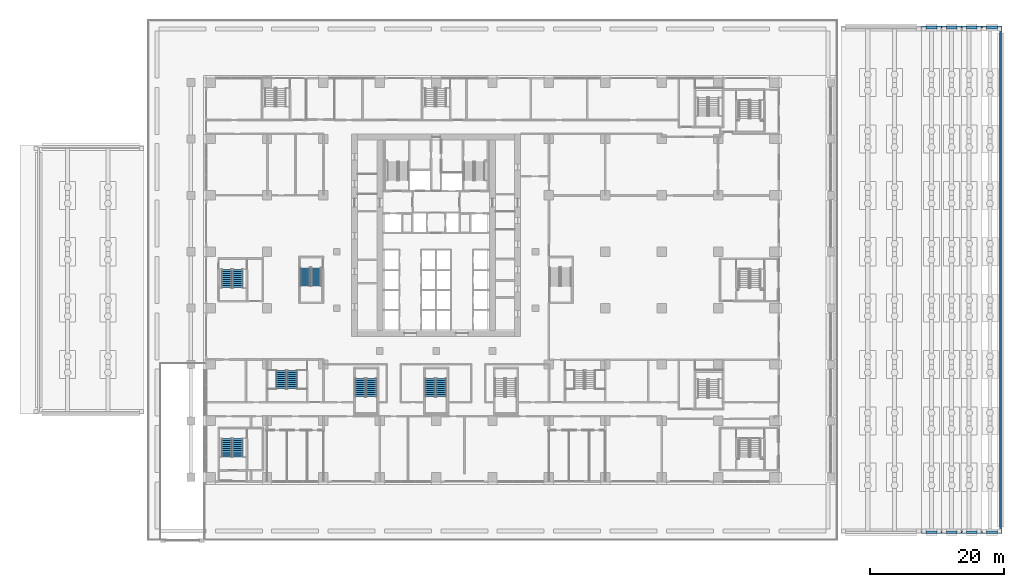
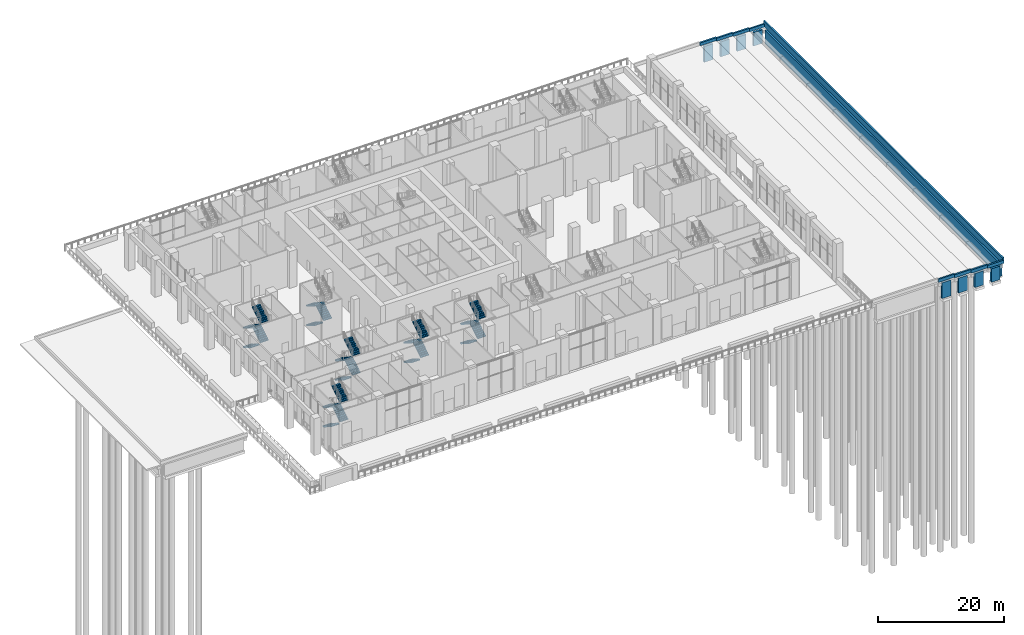
# One storey, part 33 of 53: 23 stair flights, 18 walls, 6 elements without a shape of their own.
"""IFC4 building model written with IfcOpenShell, lengths in metres."""

from ifc_helpers import new_model, si_unit, direction, frame, frame_2d, origin, place, context, subcontext, project, spatial, polyline, rectangle, outline, extrude, material, layer, layer_set, type_object, element, aggregate, save


model = new_model("IFC4")

# Units and contexts
model_context = context("Model", 3, precision=1e-05, world=origin(), true_north=direction((0.0, 1.0)))
body_context = subcontext(model_context, "Body", "Model", "MODEL_VIEW")
ifc_project = project(units=[si_unit("LENGTHUNIT", "METRE"), si_unit("AREAUNIT", "SQUARE_METRE"), si_unit("VOLUMEUNIT", "CUBIC_METRE"), si_unit("PLANEANGLEUNIT", "RADIAN"), si_unit("MASSUNIT", "GRAM", prefix="KILO")], contexts=[model_context])

# Site, building, storey
site_placement = place(None, origin())
site = spatial("IfcSite", under=ifc_project, at=site_placement, CompositionType="ELEMENT")
building_placement = place(site_placement, origin())
building = spatial("IfcBuilding", under=site, at=building_placement, Name="Vermilion Ogive Tower", CompositionType="ELEMENT")
storey_placement = place(building_placement, origin())
storey = spatial("IfcBuildingStorey", under=building, at=storey_placement, Name="L00", CompositionType="ELEMENT", Elevation=0.0)

# Walls
ifc_material_1 = material(Name="Concrete B45", Category="concrete")
ifc_layer_1 = layer(ifc_material_1, 0.300048828125)
ifc_layer_set_1 = layer_set([ifc_layer_1], Name="Quay edge curb QK1")
wall_type_1 = type_object("IfcWallType", Name="Quay edge curb QK1", PredefinedType="PARAPET", material=ifc_layer_set_1)
for number, where, z_axis, x_axis, name in (
    (1, (72.300048828125, -37.64990234375, -0.14990234375), (0.0, 0.0, 1.0), (1.0, 0.0, 0.0), "Quay edge curb STEP1 S"),
    (2, (72.300048828125, 37.64990234375, -0.14990234375), (0.0, 0.0, 1.0), (1.0, 0.0, 0.0), "Quay edge curb STEP1 N"),
):
    element("IfcWall", number, at=place(storey_placement, frame(where, z_axis=z_axis, x_axis=x_axis)), inside=storey, type_object=wall_type_1, Name=name, PredefinedType="PARAPET", context=body_context, shape_type="SweptSolid", body=[
        extrude(rectangle(XDim=3.0, YDim=0.300048828125, at=frame_2d((1.5, 0.0))), origin(), (0.0, 0.0, 1.0), 0.599853515625),
    ])
for number, where, z_axis, x_axis, name in (
    (3, (75.300048828125, -37.64990234375, -0.300048828125), (0.0, 0.0, 1.0), (1.0, 0.0, 0.0), "Quay edge curb STEP2 S"),
    (4, (75.300048828125, 37.64990234375, -0.300048828125), (0.0, 0.0, 1.0), (1.0, 0.0, 0.0), "Quay edge curb STEP2 N"),
):
    element("IfcWall", number, at=place(storey_placement, frame(where, z_axis=z_axis, x_axis=x_axis)), inside=storey, type_object=wall_type_1, Name=name, PredefinedType="PARAPET", context=body_context, shape_type="SweptSolid", body=[
        extrude(rectangle(XDim=3.0, YDim=0.300048828125, at=frame_2d((1.5, 0.0))), origin(), (0.0, 0.0, 1.0), 0.60009765625),
    ])
for number, where, z_axis, x_axis, name in (
    (5, (78.300048828125, -37.64990234375, -0.449951171875), (0.0, 0.0, 1.0), (1.0, 0.0, 0.0), "Quay edge curb STEP3 S"),
    (6, (78.300048828125, 37.64990234375, -0.449951171875), (0.0, 0.0, 1.0), (1.0, 0.0, 0.0), "Quay edge curb STEP3 N"),
):
    element("IfcWall", number, at=place(storey_placement, frame(where, z_axis=z_axis, x_axis=x_axis)), inside=storey, type_object=wall_type_1, Name=name, PredefinedType="PARAPET", context=body_context, shape_type="SweptSolid", body=[
        extrude(rectangle(XDim=3.0, YDim=0.300048828125, at=frame_2d((1.5, 0.0))), origin(), (0.0, 0.0, 1.0), 0.599853515625),
    ])
for number, where, z_axis, x_axis, name in (
    (7, (81.300048828125, -37.64990234375, -0.60009765625), (0.0, 0.0, 1.0), (1.0, 0.0, 0.0), "Quay edge curb STEP4 S"),
    (8, (81.300048828125, 37.64990234375, -0.60009765625), (0.0, 0.0, 1.0), (1.0, 0.0, 0.0), "Quay edge curb STEP4 N"),
):
    element("IfcWall", number, at=place(storey_placement, frame(where, z_axis=z_axis, x_axis=x_axis)), inside=storey, type_object=wall_type_1, Name=name, PredefinedType="PARAPET", context=body_context, shape_type="SweptSolid", body=[
        extrude(rectangle(XDim=3.0, YDim=0.300048828125, at=frame_2d((1.5, 0.0))), origin(), (0.0, 0.0, 1.0), 0.60009765625),
    ])
ifc_material_2 = material(Name="Concrete B45", Category="concrete")
ifc_layer_2 = layer(ifc_material_2, 0.300048828125)
ifc_layer_set_2 = layer_set([ifc_layer_2], Name="Quay edge wall QW1")
wall_type_2 = type_object("IfcWallType", Name="Quay edge wall QW1", PredefinedType="PARAPET", material=ifc_layer_set_2)
wall_1_placement = place(storey_placement, frame((84.14990234375, -37.800048828125, -0.60009765625), z_axis=(0.0, 0.0, 1.0), x_axis=(0.0, 1.0, 0.0)))
element("IfcWall", 9, at=wall_1_placement, inside=storey, type_object=wall_type_2, Name="Quay edge upstand", PredefinedType="PARAPET", context=body_context, shape_type="SweptSolid", body=[
    extrude(rectangle(XDim=75.60009765625, YDim=0.300048828125, at=frame_2d((37.800048828125, 0.0))), origin(), (0.0, 0.0, 1.0), 1.10009765625),
])
ifc_material_3 = material(Name="Concrete B45", Category="concrete")
ifc_layer_3 = layer(ifc_material_3, 0.39990234375)
ifc_layer_set_3 = layer_set([ifc_layer_3], Name="Quay wall QW2 400")
wall_type_3 = type_object("IfcWallType", Name="Quay wall QW2 400", PredefinedType="SOLIDWALL", material=ifc_layer_set_3)
for number, where, z_axis, x_axis, name in (
    (10, (73.0, -37.60009765625, -3.5), (0.0, 0.0, 1.0), (1.0, 0.0, 0.0), "Quay wall SITE-STEP-1 S"),
    (11, (73.0, 37.60009765625, -3.5), (0.0, 0.0, 1.0), (1.0, 0.0, 0.0), "Quay wall SITE-STEP-1 N"),
):
    element("IfcWall", number, at=place(storey_placement, frame(where, z_axis=z_axis, x_axis=x_axis)), inside=storey, type_object=wall_type_3, Name=name, PredefinedType="SOLIDWALL", context=body_context, shape_type="SweptSolid", body=[
        extrude(rectangle(XDim=1.60009765625, YDim=0.39990234375, at=frame_2d((0.800048828125, 0.0))), origin(), (0.0, 0.0, 1.0), 3.050048828125),
    ])
for number, where, z_axis, x_axis, name in (
    (12, (76.0, -37.60009765625, -3.5), (0.0, 0.0, 1.0), (1.0, 0.0, 0.0), "Quay wall SITE-STEP-2 S"),
    (13, (76.0, 37.60009765625, -3.5), (0.0, 0.0, 1.0), (1.0, 0.0, 0.0), "Quay wall SITE-STEP-2 N"),
):
    element("IfcWall", number, at=place(storey_placement, frame(where, z_axis=z_axis, x_axis=x_axis)), inside=storey, type_object=wall_type_3, Name=name, PredefinedType="SOLIDWALL", context=body_context, shape_type="SweptSolid", body=[
        extrude(rectangle(XDim=1.60009765625, YDim=0.39990234375, at=frame_2d((0.800048828125, 0.0))), origin(), (0.0, 0.0, 1.0), 2.89990234375),
    ])
for number, where, z_axis, x_axis, name in (
    (14, (79.0, -37.60009765625, -3.5), (0.0, 0.0, 1.0), (1.0, 0.0, 0.0), "Quay wall SITE-STEP-3 S"),
    (15, (79.0, 37.60009765625, -3.5), (0.0, 0.0, 1.0), (1.0, 0.0, 0.0), "Quay wall SITE-STEP-3 N"),
):
    element("IfcWall", number, at=place(storey_placement, frame(where, z_axis=z_axis, x_axis=x_axis)), inside=storey, type_object=wall_type_3, Name=name, PredefinedType="SOLIDWALL", context=body_context, shape_type="SweptSolid", body=[
        extrude(rectangle(XDim=1.60009765625, YDim=0.39990234375, at=frame_2d((0.800048828125, 0.0))), origin(), (0.0, 0.0, 1.0), 2.75),
    ])
for number, where, z_axis, x_axis, name in (
    (16, (82.0, -37.60009765625, -3.5), (0.0, 0.0, 1.0), (1.0, 0.0, 0.0), "Quay wall SITE-STEP-4 S"),
    (17, (82.0, 37.60009765625, -3.5), (0.0, 0.0, 1.0), (1.0, 0.0, 0.0), "Quay wall SITE-STEP-4 N"),
):
    element("IfcWall", number, at=place(storey_placement, frame(where, z_axis=z_axis, x_axis=x_axis)), inside=storey, type_object=wall_type_3, Name=name, PredefinedType="SOLIDWALL", context=body_context, shape_type="SweptSolid", body=[
        extrude(rectangle(XDim=1.60009765625, YDim=0.39990234375, at=frame_2d((0.800048828125, 0.0))), origin(), (0.0, 0.0, 1.0), 2.60009765625),
    ])
wall_2_placement = place(storey_placement, frame((84.10009765625, -37.10009765625, -3.5), z_axis=(0.0, 0.0, 1.0), x_axis=(0.0, 1.0, 0.0)))
element("IfcWall", 18, at=wall_2_placement, inside=storey, type_object=wall_type_3, Name="Quay wall SITE-STEP-4 E", PredefinedType="SOLIDWALL", context=body_context, shape_type="SweptSolid", body=[
    extrude(rectangle(XDim=74.2001953125, YDim=0.39990234375, at=frame_2d((37.10009765625, 0.0))), origin(), (0.0, 0.0, 1.0), 2.60009765625),
])

# Stair, stair flights
ifc_material_4 = material(Name="Concrete B40", Category="concrete")
stair_type = type_object("IfcStairType", Name="Exit stair 1500", PredefinedType="HALF_TURN_STAIR", material=ifc_material_4)
stair_1_placement = place(storey_placement, origin())
stair_1 = element("IfcStair", 19, at=stair_1_placement, inside=storey, type_object=stair_type, Name="L00 Exit Stair ST3", PredefinedType="HALF_TURN_STAIR")
ifc_material_5 = material(Name="Concrete B40", Category="concrete")
stair_flight_type = type_object("IfcStairFlightType", Name="Stair flight 1500", PredefinedType="STRAIGHT", material=ifc_material_5)
stair_flight_1_placement = place(storey_placement, frame((-11.300048828125, -14.699951171875, 0.0), z_axis=(0.0, 0.0, 1.0), x_axis=(0.0, -1.0, 0.0)))
stair_flight_1 = element("IfcStairFlight", 20, at=stair_flight_1_placement, type_object=stair_flight_type, Name="ST3 flight 1", NumberOfRisers=10, NumberOfTreads=9, PredefinedType="STRAIGHT", RiserHeight=0.1875, TreadLength=0.3, context=body_context, shape_type="SweptSolid", body=[
    extrude(outline(polyline([(0.0, 0.0), (0.0, 0.1875), (0.300048828125, 0.1875), (0.300048828125, 0.375), (0.60009765625, 0.375), (0.60009765625, 0.5625), (0.89990234375, 0.5625), (0.89990234375, 0.75), (1.199951171875, 0.75), (1.199951171875, 0.9375), (1.5, 0.9375), (1.5, 1.125), (1.800048828125, 1.125), (1.800048828125, 1.3125), (2.10009765625, 1.3125), (2.10009765625, 1.5), (2.39990234375, 1.5), (2.39990234375, 1.6875), (2.699951171875, 1.6875), (2.699951171875, 1.875), (2.699951171875, 1.5107421875), (0.28271484375, 0.0), (0.0, 0.0)])), frame((0.0, 0.75, 0.0), z_axis=(0.0, -1.0, 0.0), x_axis=(1.0, 0.0, 0.0)), (0.0, 0.0, 1.0), 1.5),
])
stair_flight_2_placement = place(storey_placement, frame((-9.64990234375, -17.39990234375, 1.875), z_axis=(0.0, 0.0, 1.0), x_axis=(0.0, 1.0, 0.0)))
stair_flight_2 = element("IfcStairFlight", 21, at=stair_flight_2_placement, type_object=stair_flight_type, Name="ST3 flight 2", NumberOfRisers=10, NumberOfTreads=9, PredefinedType="STRAIGHT", RiserHeight=0.1875, TreadLength=0.3, context=body_context, shape_type="SweptSolid", body=[
    extrude(outline(polyline([(0.0, 0.0), (0.0, 0.1875), (0.300048828125, 0.1875), (0.300048828125, 0.375), (0.60009765625, 0.375), (0.60009765625, 0.5625), (0.89990234375, 0.5625), (0.89990234375, 0.75), (1.199951171875, 0.75), (1.199951171875, 0.9375), (1.5, 0.9375), (1.5, 1.125), (1.800048828125, 1.125), (1.800048828125, 1.3125), (2.10009765625, 1.3125), (2.10009765625, 1.5), (2.39990234375, 1.5), (2.39990234375, 1.6875), (2.699951171875, 1.6875), (2.699951171875, 1.875), (2.699951171875, 1.5107421875), (0.28271484375, 0.0), (0.0, 0.0)])), frame((0.0, 0.75, 0.0), z_axis=(0.0, -1.0, 0.0), x_axis=(1.0, 0.0, 0.0)), (0.0, 0.0, 1.0), 1.5),
])
stair_flight_3_placement = place(storey_placement, frame((-11.300048828125, -14.699951171875, 3.75), z_axis=(0.0, 0.0, 1.0), x_axis=(0.0, -1.0, 0.0)))
stair_flight_3 = element("IfcStairFlight", 22, at=stair_flight_3_placement, type_object=stair_flight_type, Name="ST3 flight 3", NumberOfRisers=10, NumberOfTreads=9, PredefinedType="STRAIGHT", RiserHeight=0.1875, TreadLength=0.3, context=body_context, shape_type="SweptSolid", body=[
    extrude(outline(polyline([(0.0, 0.0), (0.0, 0.1875), (0.300048828125, 0.1875), (0.300048828125, 0.375), (0.60009765625, 0.375), (0.60009765625, 0.5625), (0.89990234375, 0.5625), (0.89990234375, 0.75), (1.199951171875, 0.75), (1.199951171875, 0.9375), (1.5, 0.9375), (1.5, 1.125), (1.800048828125, 1.125), (1.800048828125, 1.3125), (2.10009765625, 1.3125), (2.10009765625, 1.5), (2.39990234375, 1.5), (2.39990234375, 1.6875), (2.699951171875, 1.6875), (2.699951171875, 1.875), (2.699951171875, 1.5107421875), (0.28271484375, 0.0), (0.0, 0.0)])), frame((0.0, 0.75, 0.0), z_axis=(0.0, -1.0, 0.0), x_axis=(1.0, 0.0, 0.0)), (0.0, 0.0, 1.0), 1.5),
])
stair_flight_4_placement = place(storey_placement, frame((-9.64990234375, -17.39990234375, 5.625), z_axis=(0.0, 0.0, 1.0), x_axis=(0.0, 1.0, 0.0)))
stair_flight_4 = element("IfcStairFlight", 23, at=stair_flight_4_placement, type_object=stair_flight_type, Name="ST3 flight 4", NumberOfRisers=10, NumberOfTreads=9, PredefinedType="STRAIGHT", RiserHeight=0.1875, TreadLength=0.3, context=body_context, shape_type="SweptSolid", body=[
    extrude(outline(polyline([(0.0, 0.0), (0.0, 0.1875), (0.300048828125, 0.1875), (0.300048828125, 0.375), (0.60009765625, 0.375), (0.60009765625, 0.5625), (0.89990234375, 0.5625), (0.89990234375, 0.75), (1.199951171875, 0.75), (1.199951171875, 0.9375), (1.5, 0.9375), (1.5, 1.125), (1.800048828125, 1.125), (1.800048828125, 1.3125), (2.10009765625, 1.3125), (2.10009765625, 1.5), (2.39990234375, 1.5), (2.39990234375, 1.6875), (2.699951171875, 1.6875), (2.699951171875, 1.875), (2.699951171875, 1.5107421875), (0.28271484375, 0.0), (0.0, 0.0)])), frame((0.0, 0.75, 0.0), z_axis=(0.0, -1.0, 0.0), x_axis=(1.0, 0.0, 0.0)), (0.0, 0.0, 1.0), 1.5),
])
aggregate(stair_1, [stair_flight_1, stair_flight_2, stair_flight_3, stair_flight_4])

stair_2_placement = place(storey_placement, origin())
stair_2 = element("IfcStair", 24, at=stair_2_placement, inside=storey, type_object=stair_type, Name="L00 Exit Stair ST4", PredefinedType="HALF_TURN_STAIR")
stair_flight_5_placement = place(storey_placement, frame((-0.89990234375, -14.699951171875, 0.0), z_axis=(0.0, 0.0, 1.0), x_axis=(0.0, -1.0, 0.0)))
stair_flight_5 = element("IfcStairFlight", 25, at=stair_flight_5_placement, type_object=stair_flight_type, Name="ST4 flight 1", NumberOfRisers=10, NumberOfTreads=9, PredefinedType="STRAIGHT", RiserHeight=0.1875, TreadLength=0.3, context=body_context, shape_type="SweptSolid", body=[
    extrude(outline(polyline([(0.0, 0.0), (0.0, 0.1875), (0.300048828125, 0.1875), (0.300048828125, 0.375), (0.60009765625, 0.375), (0.60009765625, 0.5625), (0.89990234375, 0.5625), (0.89990234375, 0.75), (1.199951171875, 0.75), (1.199951171875, 0.9375), (1.5, 0.9375), (1.5, 1.125), (1.800048828125, 1.125), (1.800048828125, 1.3125), (2.10009765625, 1.3125), (2.10009765625, 1.5), (2.39990234375, 1.5), (2.39990234375, 1.6875), (2.699951171875, 1.6875), (2.699951171875, 1.875), (2.699951171875, 1.5107421875), (0.28271484375, 0.0), (0.0, 0.0)])), frame((0.0, 0.75, 0.0), z_axis=(0.0, -1.0, 0.0), x_axis=(1.0, 0.0, 0.0)), (0.0, 0.0, 1.0), 1.5),
])
stair_flight_6_placement = place(storey_placement, frame((0.75, -17.39990234375, 1.875), z_axis=(0.0, 0.0, 1.0), x_axis=(0.0, 1.0, 0.0)))
stair_flight_6 = element("IfcStairFlight", 26, at=stair_flight_6_placement, type_object=stair_flight_type, Name="ST4 flight 2", NumberOfRisers=10, NumberOfTreads=9, PredefinedType="STRAIGHT", RiserHeight=0.1875, TreadLength=0.3, context=body_context, shape_type="SweptSolid", body=[
    extrude(outline(polyline([(0.0, 0.0), (0.0, 0.1875), (0.300048828125, 0.1875), (0.300048828125, 0.375), (0.60009765625, 0.375), (0.60009765625, 0.5625), (0.89990234375, 0.5625), (0.89990234375, 0.75), (1.199951171875, 0.75), (1.199951171875, 0.9375), (1.5, 0.9375), (1.5, 1.125), (1.800048828125, 1.125), (1.800048828125, 1.3125), (2.10009765625, 1.3125), (2.10009765625, 1.5), (2.39990234375, 1.5), (2.39990234375, 1.6875), (2.699951171875, 1.6875), (2.699951171875, 1.875), (2.699951171875, 1.5107421875), (0.28271484375, 0.0), (0.0, 0.0)])), frame((0.0, 0.75, 0.0), z_axis=(0.0, -1.0, 0.0), x_axis=(1.0, 0.0, 0.0)), (0.0, 0.0, 1.0), 1.5),
])
stair_flight_7_placement = place(storey_placement, frame((-0.89990234375, -14.699951171875, 3.75), z_axis=(0.0, 0.0, 1.0), x_axis=(0.0, -1.0, 0.0)))
stair_flight_7 = element("IfcStairFlight", 27, at=stair_flight_7_placement, type_object=stair_flight_type, Name="ST4 flight 3", NumberOfRisers=10, NumberOfTreads=9, PredefinedType="STRAIGHT", RiserHeight=0.1875, TreadLength=0.3, context=body_context, shape_type="SweptSolid", body=[
    extrude(outline(polyline([(0.0, 0.0), (0.0, 0.1875), (0.300048828125, 0.1875), (0.300048828125, 0.375), (0.60009765625, 0.375), (0.60009765625, 0.5625), (0.89990234375, 0.5625), (0.89990234375, 0.75), (1.199951171875, 0.75), (1.199951171875, 0.9375), (1.5, 0.9375), (1.5, 1.125), (1.800048828125, 1.125), (1.800048828125, 1.3125), (2.10009765625, 1.3125), (2.10009765625, 1.5), (2.39990234375, 1.5), (2.39990234375, 1.6875), (2.699951171875, 1.6875), (2.699951171875, 1.875), (2.699951171875, 1.5107421875), (0.28271484375, 0.0), (0.0, 0.0)])), frame((0.0, 0.75, 0.0), z_axis=(0.0, -1.0, 0.0), x_axis=(1.0, 0.0, 0.0)), (0.0, 0.0, 1.0), 1.5),
])
stair_flight_8_placement = place(storey_placement, frame((0.75, -17.39990234375, 5.625), z_axis=(0.0, 0.0, 1.0), x_axis=(0.0, 1.0, 0.0)))
stair_flight_8 = element("IfcStairFlight", 28, at=stair_flight_8_placement, type_object=stair_flight_type, Name="ST4 flight 4", NumberOfRisers=10, NumberOfTreads=9, PredefinedType="STRAIGHT", RiserHeight=0.1875, TreadLength=0.3, context=body_context, shape_type="SweptSolid", body=[
    extrude(outline(polyline([(0.0, 0.0), (0.0, 0.1875), (0.300048828125, 0.1875), (0.300048828125, 0.375), (0.60009765625, 0.375), (0.60009765625, 0.5625), (0.89990234375, 0.5625), (0.89990234375, 0.75), (1.199951171875, 0.75), (1.199951171875, 0.9375), (1.5, 0.9375), (1.5, 1.125), (1.800048828125, 1.125), (1.800048828125, 1.3125), (2.10009765625, 1.3125), (2.10009765625, 1.5), (2.39990234375, 1.5), (2.39990234375, 1.6875), (2.699951171875, 1.6875), (2.699951171875, 1.875), (2.699951171875, 1.5107421875), (0.28271484375, 0.0), (0.0, 0.0)])), frame((0.0, 0.75, 0.0), z_axis=(0.0, -1.0, 0.0), x_axis=(1.0, 0.0, 0.0)), (0.0, 0.0, 1.0), 1.5),
])
aggregate(stair_2, [stair_flight_5, stair_flight_6, stair_flight_7, stair_flight_8])

stair_3_placement = place(storey_placement, origin())
stair_3 = element("IfcStair", 29, at=stair_3_placement, inside=storey, type_object=stair_type, Name="L00 Exit Stair ST9", PredefinedType="HALF_TURN_STAIR")
stair_flight_9_placement = place(storey_placement, frame((-19.5, 1.800048828125, 0.0), z_axis=(0.0, 0.0, 1.0), x_axis=(0.0, -1.0, 0.0)))
stair_flight_9 = element("IfcStairFlight", 30, at=stair_flight_9_placement, type_object=stair_flight_type, Name="ST9 flight 1", NumberOfRisers=10, NumberOfTreads=9, PredefinedType="STRAIGHT", RiserHeight=0.1875, TreadLength=0.3, context=body_context, shape_type="SweptSolid", body=[
    extrude(outline(polyline([(0.0, 0.0), (0.0, 0.1875), (0.300048828125, 0.1875), (0.300048828125, 0.375), (0.60009765625, 0.375), (0.60009765625, 0.5625), (0.89990234375, 0.5625), (0.89990234375, 0.75), (1.199951171875, 0.75), (1.199951171875, 0.9375), (1.5, 0.9375), (1.5, 1.125), (1.800048828125, 1.125), (1.800048828125, 1.3125), (2.10009765625, 1.3125), (2.10009765625, 1.5), (2.39990234375, 1.5), (2.39990234375, 1.6875), (2.699951171875, 1.6875), (2.699951171875, 1.875), (2.699951171875, 1.5107421875), (0.28271484375, 0.0), (0.0, 0.0)])), frame((0.0, 0.75, 0.0), z_axis=(0.0, -1.0, 0.0), x_axis=(1.0, 0.0, 0.0)), (0.0, 0.0, 1.0), 1.5),
])
stair_flight_10_placement = place(storey_placement, frame((-17.85009765625, -0.89990234375, 1.875), z_axis=(0.0, 0.0, 1.0), x_axis=(0.0, 1.0, 0.0)))
stair_flight_10 = element("IfcStairFlight", 31, at=stair_flight_10_placement, type_object=stair_flight_type, Name="ST9 flight 2", NumberOfRisers=10, NumberOfTreads=9, PredefinedType="STRAIGHT", RiserHeight=0.1875, TreadLength=0.3, context=body_context, shape_type="SweptSolid", body=[
    extrude(outline(polyline([(0.0, 0.0), (0.0, 0.1875), (0.300048828125, 0.1875), (0.300048828125, 0.375), (0.60009765625, 0.375), (0.60009765625, 0.5625), (0.89990234375, 0.5625), (0.89990234375, 0.75), (1.199951171875, 0.75), (1.199951171875, 0.9375), (1.5, 0.9375), (1.5, 1.125), (1.800048828125, 1.125), (1.800048828125, 1.3125), (2.10009765625, 1.3125), (2.10009765625, 1.5), (2.39990234375, 1.5), (2.39990234375, 1.6875), (2.699951171875, 1.6875), (2.699951171875, 1.875), (2.699951171875, 1.5107421875), (0.28271484375, 0.0), (0.0, 0.0)])), frame((0.0, 0.75, 0.0), z_axis=(0.0, -1.0, 0.0), x_axis=(1.0, 0.0, 0.0)), (0.0, 0.0, 1.0), 1.5),
])
stair_flight_11_placement = place(storey_placement, frame((-19.5, 1.800048828125, 3.75), z_axis=(0.0, 0.0, 1.0), x_axis=(0.0, -1.0, 0.0)))
stair_flight_11 = element("IfcStairFlight", 32, at=stair_flight_11_placement, type_object=stair_flight_type, Name="ST9 flight 3", NumberOfRisers=10, NumberOfTreads=9, PredefinedType="STRAIGHT", RiserHeight=0.1875, TreadLength=0.3, context=body_context, shape_type="SweptSolid", body=[
    extrude(outline(polyline([(0.0, 0.0), (0.0, 0.1875), (0.300048828125, 0.1875), (0.300048828125, 0.375), (0.60009765625, 0.375), (0.60009765625, 0.5625), (0.89990234375, 0.5625), (0.89990234375, 0.75), (1.199951171875, 0.75), (1.199951171875, 0.9375), (1.5, 0.9375), (1.5, 1.125), (1.800048828125, 1.125), (1.800048828125, 1.3125), (2.10009765625, 1.3125), (2.10009765625, 1.5), (2.39990234375, 1.5), (2.39990234375, 1.6875), (2.699951171875, 1.6875), (2.699951171875, 1.875), (2.699951171875, 1.5107421875), (0.28271484375, 0.0), (0.0, 0.0)])), frame((0.0, 0.75, 0.0), z_axis=(0.0, -1.0, 0.0), x_axis=(1.0, 0.0, 0.0)), (0.0, 0.0, 1.0), 1.5),
])
aggregate(stair_3, [stair_flight_9, stair_flight_10, stair_flight_11])

stair_4_placement = place(storey_placement, origin())
stair_4 = element("IfcStair", 33, at=stair_4_placement, inside=storey, type_object=stair_type, Name="L00 Exit Stair PS4", PredefinedType="HALF_TURN_STAIR")
stair_flight_12_placement = place(storey_placement, frame((-23.10009765625, -13.5, 0.0), z_axis=(0.0, 0.0, 1.0), x_axis=(0.0, -1.0, 0.0)))
stair_flight_12 = element("IfcStairFlight", 34, at=stair_flight_12_placement, type_object=stair_flight_type, Name="PS4 flight 1", NumberOfRisers=10, NumberOfTreads=9, PredefinedType="STRAIGHT", RiserHeight=0.1875, TreadLength=0.3, context=body_context, shape_type="SweptSolid", body=[
    extrude(outline(polyline([(0.0, 0.0), (0.0, 0.1875), (0.300048828125, 0.1875), (0.300048828125, 0.375), (0.60009765625, 0.375), (0.60009765625, 0.5625), (0.89990234375, 0.5625), (0.89990234375, 0.75), (1.199951171875, 0.75), (1.199951171875, 0.9375), (1.5, 0.9375), (1.5, 1.125), (1.800048828125, 1.125), (1.800048828125, 1.3125), (2.10009765625, 1.3125), (2.10009765625, 1.5), (2.39990234375, 1.5), (2.39990234375, 1.6875), (2.699951171875, 1.6875), (2.699951171875, 1.875), (2.699951171875, 1.5107421875), (0.28271484375, 0.0), (0.0, 0.0)])), frame((0.0, 0.75, 0.0), z_axis=(0.0, -1.0, 0.0), x_axis=(1.0, 0.0, 0.0)), (0.0, 0.0, 1.0), 1.5),
])
stair_flight_13_placement = place(storey_placement, frame((-21.449951171875, -16.199951171875, 1.875), z_axis=(0.0, 0.0, 1.0), x_axis=(0.0, 1.0, 0.0)))
stair_flight_13 = element("IfcStairFlight", 35, at=stair_flight_13_placement, type_object=stair_flight_type, Name="PS4 flight 2", NumberOfRisers=10, NumberOfTreads=9, PredefinedType="STRAIGHT", RiserHeight=0.1875, TreadLength=0.3, context=body_context, shape_type="SweptSolid", body=[
    extrude(outline(polyline([(0.0, 0.0), (0.0, 0.1875), (0.300048828125, 0.1875), (0.300048828125, 0.375), (0.60009765625, 0.375), (0.60009765625, 0.5625), (0.89990234375, 0.5625), (0.89990234375, 0.75), (1.199951171875, 0.75), (1.199951171875, 0.9375), (1.5, 0.9375), (1.5, 1.125), (1.800048828125, 1.125), (1.800048828125, 1.3125), (2.10009765625, 1.3125), (2.10009765625, 1.5), (2.39990234375, 1.5), (2.39990234375, 1.6875), (2.699951171875, 1.6875), (2.699951171875, 1.875), (2.699951171875, 1.5107421875), (0.28271484375, 0.0), (0.0, 0.0)])), frame((0.0, 0.75, 0.0), z_axis=(0.0, -1.0, 0.0), x_axis=(1.0, 0.0, 0.0)), (0.0, 0.0, 1.0), 1.5),
])
stair_flight_14_placement = place(storey_placement, frame((-23.10009765625, -13.5, 3.75), z_axis=(0.0, 0.0, 1.0), x_axis=(0.0, -1.0, 0.0)))
stair_flight_14 = element("IfcStairFlight", 36, at=stair_flight_14_placement, type_object=stair_flight_type, Name="PS4 flight 3", NumberOfRisers=10, NumberOfTreads=9, PredefinedType="STRAIGHT", RiserHeight=0.1875, TreadLength=0.3, context=body_context, shape_type="SweptSolid", body=[
    extrude(outline(polyline([(0.0, 0.0), (0.0, 0.1875), (0.300048828125, 0.1875), (0.300048828125, 0.375), (0.60009765625, 0.375), (0.60009765625, 0.5625), (0.89990234375, 0.5625), (0.89990234375, 0.75), (1.199951171875, 0.75), (1.199951171875, 0.9375), (1.5, 0.9375), (1.5, 1.125), (1.800048828125, 1.125), (1.800048828125, 1.3125), (2.10009765625, 1.3125), (2.10009765625, 1.5), (2.39990234375, 1.5), (2.39990234375, 1.6875), (2.699951171875, 1.6875), (2.699951171875, 1.875), (2.699951171875, 1.5107421875), (0.28271484375, 0.0), (0.0, 0.0)])), frame((0.0, 0.75, 0.0), z_axis=(0.0, -1.0, 0.0), x_axis=(1.0, 0.0, 0.0)), (0.0, 0.0, 1.0), 1.5),
])
stair_flight_15_placement = place(storey_placement, frame((-21.449951171875, -16.199951171875, 5.625), z_axis=(0.0, 0.0, 1.0), x_axis=(0.0, 1.0, 0.0)))
stair_flight_15 = element("IfcStairFlight", 37, at=stair_flight_15_placement, type_object=stair_flight_type, Name="PS4 flight 4", NumberOfRisers=10, NumberOfTreads=9, PredefinedType="STRAIGHT", RiserHeight=0.1875, TreadLength=0.3, context=body_context, shape_type="SweptSolid", body=[
    extrude(outline(polyline([(0.0, 0.0), (0.0, 0.1875), (0.300048828125, 0.1875), (0.300048828125, 0.375), (0.60009765625, 0.375), (0.60009765625, 0.5625), (0.89990234375, 0.5625), (0.89990234375, 0.75), (1.199951171875, 0.75), (1.199951171875, 0.9375), (1.5, 0.9375), (1.5, 1.125), (1.800048828125, 1.125), (1.800048828125, 1.3125), (2.10009765625, 1.3125), (2.10009765625, 1.5), (2.39990234375, 1.5), (2.39990234375, 1.6875), (2.699951171875, 1.6875), (2.699951171875, 1.875), (2.699951171875, 1.5107421875), (0.28271484375, 0.0), (0.0, 0.0)])), frame((0.0, 0.75, 0.0), z_axis=(0.0, -1.0, 0.0), x_axis=(1.0, 0.0, 0.0)), (0.0, 0.0, 1.0), 1.5),
])
aggregate(stair_4, [stair_flight_12, stair_flight_13, stair_flight_14, stair_flight_15])

stair_5_placement = place(storey_placement, origin())
stair_5 = element("IfcStair", 38, at=stair_5_placement, inside=storey, type_object=stair_type, Name="L00 Exit Stair PWS", PredefinedType="HALF_TURN_STAIR")
stair_flight_16_placement = place(storey_placement, frame((-31.199951171875, -23.64990234375, 0.0), z_axis=(0.0, 0.0, 1.0), x_axis=(0.0, -1.0, 0.0)))
stair_flight_16 = element("IfcStairFlight", 39, at=stair_flight_16_placement, type_object=stair_flight_type, Name="PWS flight 1", NumberOfRisers=10, NumberOfTreads=9, PredefinedType="STRAIGHT", RiserHeight=0.1875, TreadLength=0.3, context=body_context, shape_type="SweptSolid", body=[
    extrude(outline(polyline([(0.0, 0.0), (0.0, 0.1875), (0.300048828125, 0.1875), (0.300048828125, 0.375), (0.60009765625, 0.375), (0.60009765625, 0.5625), (0.89990234375, 0.5625), (0.89990234375, 0.75), (1.199951171875, 0.75), (1.199951171875, 0.9375), (1.5, 0.9375), (1.5, 1.125), (1.800048828125, 1.125), (1.800048828125, 1.3125), (2.10009765625, 1.3125), (2.10009765625, 1.5), (2.39990234375, 1.5), (2.39990234375, 1.6875), (2.699951171875, 1.6875), (2.699951171875, 1.875), (2.699951171875, 1.5107421875), (0.28271484375, 0.0), (0.0, 0.0)])), frame((0.0, 0.75, 0.0), z_axis=(0.0, -1.0, 0.0), x_axis=(1.0, 0.0, 0.0)), (0.0, 0.0, 1.0), 1.5),
])
stair_flight_17_placement = place(storey_placement, frame((-29.550048828125, -26.35009765625, 1.875), z_axis=(0.0, 0.0, 1.0), x_axis=(0.0, 1.0, 0.0)))
stair_flight_17 = element("IfcStairFlight", 40, at=stair_flight_17_placement, type_object=stair_flight_type, Name="PWS flight 2", NumberOfRisers=10, NumberOfTreads=9, PredefinedType="STRAIGHT", RiserHeight=0.1875, TreadLength=0.3, context=body_context, shape_type="SweptSolid", body=[
    extrude(outline(polyline([(0.0, 0.0), (0.0, 0.1875), (0.300048828125, 0.1875), (0.300048828125, 0.375), (0.60009765625, 0.375), (0.60009765625, 0.5625), (0.89990234375, 0.5625), (0.89990234375, 0.75), (1.199951171875, 0.75), (1.199951171875, 0.9375), (1.5, 0.9375), (1.5, 1.125), (1.800048828125, 1.125), (1.800048828125, 1.3125), (2.10009765625, 1.3125), (2.10009765625, 1.5), (2.39990234375, 1.5), (2.39990234375, 1.6875), (2.699951171875, 1.6875), (2.699951171875, 1.875), (2.699951171875, 1.5107421875), (0.28271484375, 0.0), (0.0, 0.0)])), frame((0.0, 0.75, 0.0), z_axis=(0.0, -1.0, 0.0), x_axis=(1.0, 0.0, 0.0)), (0.0, 0.0, 1.0), 1.5),
])
stair_flight_18_placement = place(storey_placement, frame((-31.199951171875, -23.64990234375, 3.75), z_axis=(0.0, 0.0, 1.0), x_axis=(0.0, -1.0, 0.0)))
stair_flight_18 = element("IfcStairFlight", 41, at=stair_flight_18_placement, type_object=stair_flight_type, Name="PWS flight 3", NumberOfRisers=10, NumberOfTreads=9, PredefinedType="STRAIGHT", RiserHeight=0.1875, TreadLength=0.3, context=body_context, shape_type="SweptSolid", body=[
    extrude(outline(polyline([(0.0, 0.0), (0.0, 0.1875), (0.300048828125, 0.1875), (0.300048828125, 0.375), (0.60009765625, 0.375), (0.60009765625, 0.5625), (0.89990234375, 0.5625), (0.89990234375, 0.75), (1.199951171875, 0.75), (1.199951171875, 0.9375), (1.5, 0.9375), (1.5, 1.125), (1.800048828125, 1.125), (1.800048828125, 1.3125), (2.10009765625, 1.3125), (2.10009765625, 1.5), (2.39990234375, 1.5), (2.39990234375, 1.6875), (2.699951171875, 1.6875), (2.699951171875, 1.875), (2.699951171875, 1.5107421875), (0.28271484375, 0.0), (0.0, 0.0)])), frame((0.0, 0.75, 0.0), z_axis=(0.0, -1.0, 0.0), x_axis=(1.0, 0.0, 0.0)), (0.0, 0.0, 1.0), 1.5),
])
stair_flight_19_placement = place(storey_placement, frame((-29.550048828125, -26.35009765625, 5.625), z_axis=(0.0, 0.0, 1.0), x_axis=(0.0, 1.0, 0.0)))
stair_flight_19 = element("IfcStairFlight", 42, at=stair_flight_19_placement, type_object=stair_flight_type, Name="PWS flight 4", NumberOfRisers=10, NumberOfTreads=9, PredefinedType="STRAIGHT", RiserHeight=0.1875, TreadLength=0.3, context=body_context, shape_type="SweptSolid", body=[
    extrude(outline(polyline([(0.0, 0.0), (0.0, 0.1875), (0.300048828125, 0.1875), (0.300048828125, 0.375), (0.60009765625, 0.375), (0.60009765625, 0.5625), (0.89990234375, 0.5625), (0.89990234375, 0.75), (1.199951171875, 0.75), (1.199951171875, 0.9375), (1.5, 0.9375), (1.5, 1.125), (1.800048828125, 1.125), (1.800048828125, 1.3125), (2.10009765625, 1.3125), (2.10009765625, 1.5), (2.39990234375, 1.5), (2.39990234375, 1.6875), (2.699951171875, 1.6875), (2.699951171875, 1.875), (2.699951171875, 1.5107421875), (0.28271484375, 0.0), (0.0, 0.0)])), frame((0.0, 0.75, 0.0), z_axis=(0.0, -1.0, 0.0), x_axis=(1.0, 0.0, 0.0)), (0.0, 0.0, 1.0), 1.5),
])
aggregate(stair_5, [stair_flight_16, stair_flight_17, stair_flight_18, stair_flight_19])

stair_6_placement = place(storey_placement, origin())
stair_6 = element("IfcStair", 43, at=stair_6_placement, inside=storey, type_object=stair_type, Name="L00 Exit Stair PWC", PredefinedType="HALF_TURN_STAIR")
stair_flight_20_placement = place(storey_placement, frame((-31.199951171875, 1.550048828125, 0.0), z_axis=(0.0, 0.0, 1.0), x_axis=(0.0, -1.0, 0.0)))
stair_flight_20 = element("IfcStairFlight", 44, at=stair_flight_20_placement, type_object=stair_flight_type, Name="PWC flight 1", NumberOfRisers=10, NumberOfTreads=9, PredefinedType="STRAIGHT", RiserHeight=0.1875, TreadLength=0.3, context=body_context, shape_type="SweptSolid", body=[
    extrude(outline(polyline([(0.0, 0.0), (0.0, 0.1875), (0.300048828125, 0.1875), (0.300048828125, 0.375), (0.60009765625, 0.375), (0.60009765625, 0.5625), (0.89990234375, 0.5625), (0.89990234375, 0.75), (1.199951171875, 0.75), (1.199951171875, 0.9375), (1.5, 0.9375), (1.5, 1.125), (1.800048828125, 1.125), (1.800048828125, 1.3125), (2.10009765625, 1.3125), (2.10009765625, 1.5), (2.39990234375, 1.5), (2.39990234375, 1.6875), (2.699951171875, 1.6875), (2.699951171875, 1.875), (2.699951171875, 1.5107421875), (0.28271484375, 0.0), (0.0, 0.0)])), frame((0.0, 0.75, 0.0), z_axis=(0.0, -1.0, 0.0), x_axis=(1.0, 0.0, 0.0)), (0.0, 0.0, 1.0), 1.5),
])
stair_flight_21_placement = place(storey_placement, frame((-29.550048828125, -1.14990234375, 1.875), z_axis=(0.0, 0.0, 1.0), x_axis=(0.0, 1.0, 0.0)))
stair_flight_21 = element("IfcStairFlight", 45, at=stair_flight_21_placement, type_object=stair_flight_type, Name="PWC flight 2", NumberOfRisers=10, NumberOfTreads=9, PredefinedType="STRAIGHT", RiserHeight=0.1875, TreadLength=0.3, context=body_context, shape_type="SweptSolid", body=[
    extrude(outline(polyline([(0.0, 0.0), (0.0, 0.1875), (0.300048828125, 0.1875), (0.300048828125, 0.375), (0.60009765625, 0.375), (0.60009765625, 0.5625), (0.89990234375, 0.5625), (0.89990234375, 0.75), (1.199951171875, 0.75), (1.199951171875, 0.9375), (1.5, 0.9375), (1.5, 1.125), (1.800048828125, 1.125), (1.800048828125, 1.3125), (2.10009765625, 1.3125), (2.10009765625, 1.5), (2.39990234375, 1.5), (2.39990234375, 1.6875), (2.699951171875, 1.6875), (2.699951171875, 1.875), (2.699951171875, 1.5107421875), (0.28271484375, 0.0), (0.0, 0.0)])), frame((0.0, 0.75, 0.0), z_axis=(0.0, -1.0, 0.0), x_axis=(1.0, 0.0, 0.0)), (0.0, 0.0, 1.0), 1.5),
])
stair_flight_22_placement = place(storey_placement, frame((-31.199951171875, 1.550048828125, 3.75), z_axis=(0.0, 0.0, 1.0), x_axis=(0.0, -1.0, 0.0)))
stair_flight_22 = element("IfcStairFlight", 46, at=stair_flight_22_placement, type_object=stair_flight_type, Name="PWC flight 3", NumberOfRisers=10, NumberOfTreads=9, PredefinedType="STRAIGHT", RiserHeight=0.1875, TreadLength=0.3, context=body_context, shape_type="SweptSolid", body=[
    extrude(outline(polyline([(0.0, 0.0), (0.0, 0.1875), (0.300048828125, 0.1875), (0.300048828125, 0.375), (0.60009765625, 0.375), (0.60009765625, 0.5625), (0.89990234375, 0.5625), (0.89990234375, 0.75), (1.199951171875, 0.75), (1.199951171875, 0.9375), (1.5, 0.9375), (1.5, 1.125), (1.800048828125, 1.125), (1.800048828125, 1.3125), (2.10009765625, 1.3125), (2.10009765625, 1.5), (2.39990234375, 1.5), (2.39990234375, 1.6875), (2.699951171875, 1.6875), (2.699951171875, 1.875), (2.699951171875, 1.5107421875), (0.28271484375, 0.0), (0.0, 0.0)])), frame((0.0, 0.75, 0.0), z_axis=(0.0, -1.0, 0.0), x_axis=(1.0, 0.0, 0.0)), (0.0, 0.0, 1.0), 1.5),
])
stair_flight_23_placement = place(storey_placement, frame((-29.550048828125, -1.14990234375, 5.625), z_axis=(0.0, 0.0, 1.0), x_axis=(0.0, 1.0, 0.0)))
stair_flight_23 = element("IfcStairFlight", 47, at=stair_flight_23_placement, type_object=stair_flight_type, Name="PWC flight 4", NumberOfRisers=10, NumberOfTreads=9, PredefinedType="STRAIGHT", RiserHeight=0.1875, TreadLength=0.3, context=body_context, shape_type="SweptSolid", body=[
    extrude(outline(polyline([(0.0, 0.0), (0.0, 0.1875), (0.300048828125, 0.1875), (0.300048828125, 0.375), (0.60009765625, 0.375), (0.60009765625, 0.5625), (0.89990234375, 0.5625), (0.89990234375, 0.75), (1.199951171875, 0.75), (1.199951171875, 0.9375), (1.5, 0.9375), (1.5, 1.125), (1.800048828125, 1.125), (1.800048828125, 1.3125), (2.10009765625, 1.3125), (2.10009765625, 1.5), (2.39990234375, 1.5), (2.39990234375, 1.6875), (2.699951171875, 1.6875), (2.699951171875, 1.875), (2.699951171875, 1.5107421875), (0.28271484375, 0.0), (0.0, 0.0)])), frame((0.0, 0.75, 0.0), z_axis=(0.0, -1.0, 0.0), x_axis=(1.0, 0.0, 0.0)), (0.0, 0.0, 1.0), 1.5),
])
aggregate(stair_6, [stair_flight_20, stair_flight_21, stair_flight_22, stair_flight_23])

save(model, "model.ifc")
